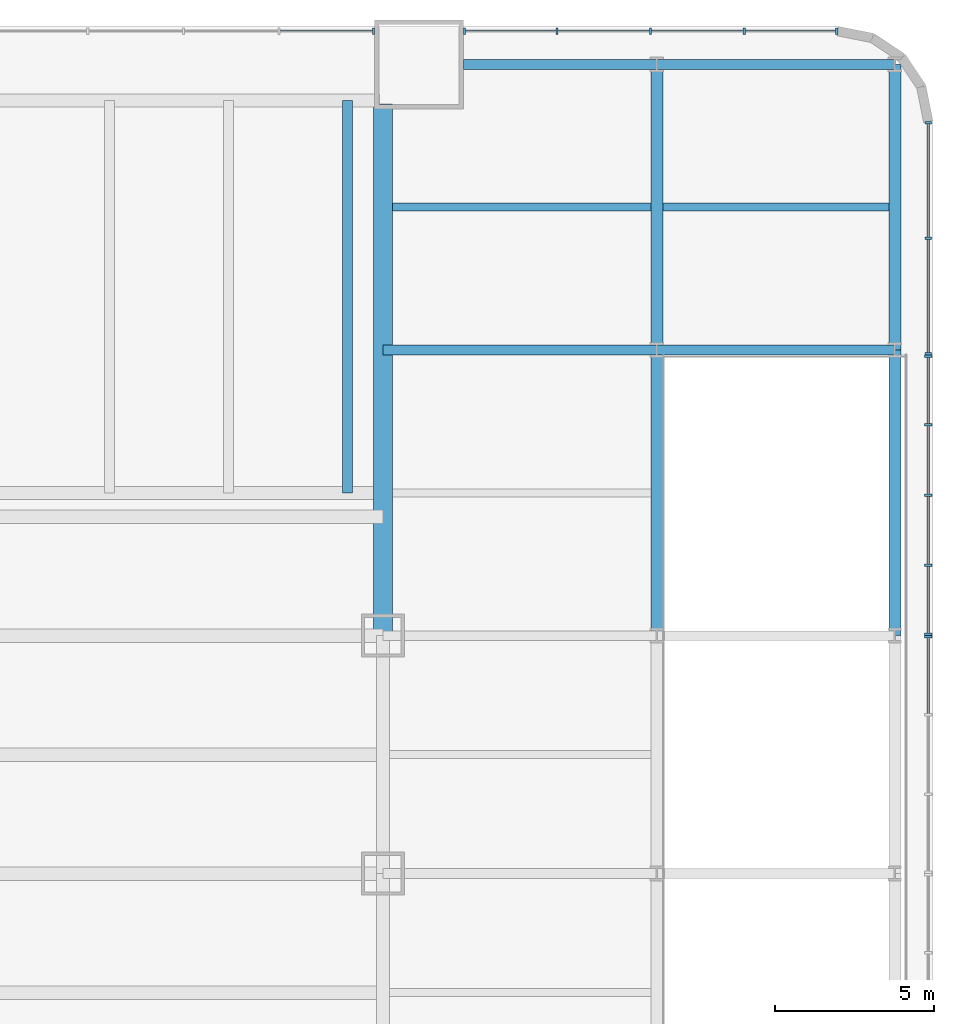
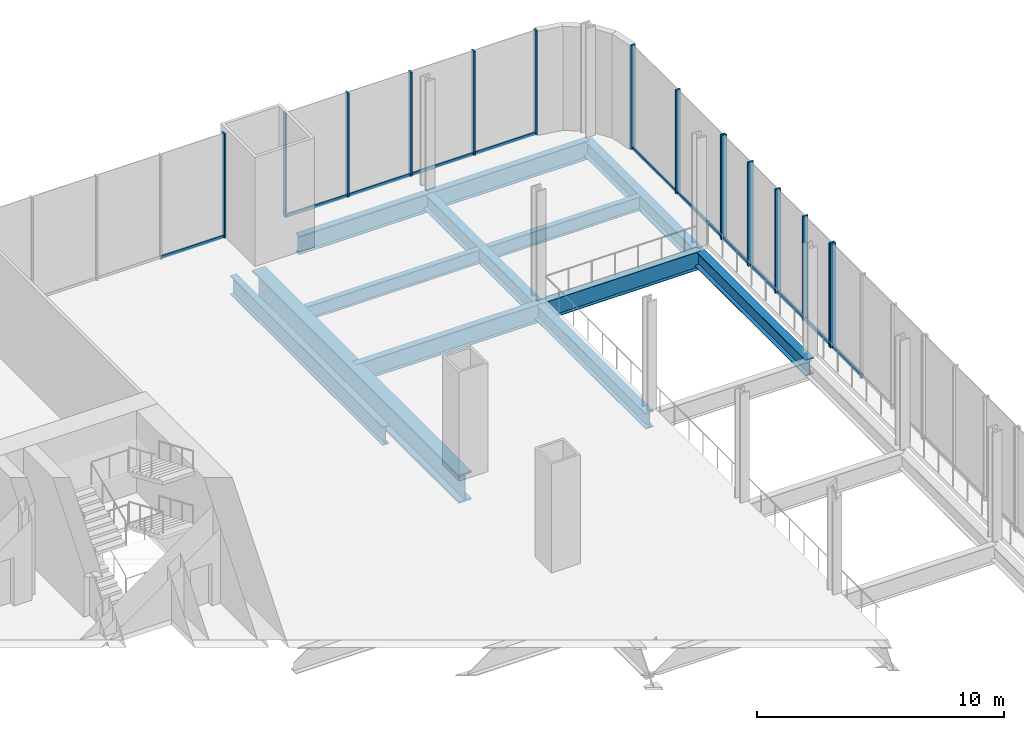
# One storey, part 9 of 16: 27 members, 12 beams, 5 elements without a shape of their own.
"""IFC4 building model written with IfcOpenShell, lengths in metres."""

from ifc_helpers import new_model, si_unit, direction, frame, origin, origin_2d, place, context, subcontext, project, spatial, rectangle, i_section, extrude, material, material_profile, profile_set, type_object, element, aggregate, save


model = new_model("IFC4")

# Units and contexts
model_context = context("Model", 3, precision=1e-05, world=origin(), true_north=direction((0.0, 1.0)))
body_context = subcontext(model_context, "Body", "Model", "MODEL_VIEW")
ifc_project = project(units=[si_unit("LENGTHUNIT", "METRE"), si_unit("AREAUNIT", "SQUARE_METRE"), si_unit("VOLUMEUNIT", "CUBIC_METRE"), si_unit("PLANEANGLEUNIT", "RADIAN"), si_unit("MASSUNIT", "GRAM", prefix="KILO")], contexts=[model_context])

# Site, building, storey
site_placement = place(None, origin())
site = spatial("IfcSite", under=ifc_project, at=site_placement, CompositionType="ELEMENT")
building_placement = place(site_placement, origin())
building = spatial("IfcBuilding", under=site, at=building_placement, Name="Tarangal Relay Tower", CompositionType="ELEMENT")
storey_placement = place(building_placement, frame((0.0, 0.0, 12.60009765625)))
storey = spatial("IfcBuildingStorey", under=building, at=storey_placement, Name="L02", CompositionType="ELEMENT", Elevation=12.60009765625)

# Beam
ifc_material_1 = material(Name="Steel ASTM A992", Category="steel")
ifc_material_profile_1 = material_profile(ifc_material_1, i_section(OverallWidth=0.307373046875, OverallDepth=0.927001953125, WebThickness=0.019287109375, FlangeThickness=0.031982421875, at=origin_2d()), Name="W36X194")
ifc_profile_set_1 = profile_set([ifc_material_profile_1], Name="Steel ASTM A992")
beam_type_1 = type_object("IfcBeamType", Name="Corner beam W36X194", PredefinedType="JOIST", material=ifc_profile_set_1)
beam_1_placement = place(storey_placement, frame((23.25, 12.0, -0.713623046875), z_axis=(0.0, 1.0, 0.0), x_axis=(-1.0, 0.0, 0.0)))
element("IfcBeam", 1, at=beam_1_placement, inside=storey, type_object=beam_type_1, Name="Corner beam CB10 N L02", PredefinedType="JOIST", context=body_context, shape_type="SweptSolid", body=[
    extrude(i_section(OverallWidth=0.307373046875, OverallDepth=0.927001953125, WebThickness=0.019287109375, FlangeThickness=0.031982421875, at=origin_2d()), origin(), (0.0, 0.0, 1.0), 12.364990234375),
])

# Curtain wall, members
ifc_material_2 = material(Name="Unitised curtain wall, dark glass and black aluminium", Category="aluminium")
curtain_wall_type_1 = type_object("IfcCurtainWallType", Name="Curtain wall CW-P", PredefinedType="USERDEFINED", material=ifc_material_2)
curtain_wall_1_placement = place(storey_placement, origin())
curtain_wall_1 = element("IfcCurtainWall", 2, at=curtain_wall_1_placement, inside=storey, type_object=curtain_wall_type_1, Name="Curtain wall CW-P Podium N facade L02", ObjectType="UNITISED CURTAIN WALL", PredefinedType="USERDEFINED")
ifc_material_3 = material(Name="Black anodised aluminium mullion", Category="aluminium")
ifc_material_profile_2 = material_profile(ifc_material_3, rectangle(XDim=0.199951171875, YDim=0.070068359375, at=origin_2d()), Name="CW-PM 70X200")
ifc_profile_set_2 = profile_set([ifc_material_profile_2], Name="Black anodised aluminium mullion")
member_type_1 = type_object("IfcMemberType", Name="Mullion CW-P 70 x 200", PredefinedType="MULLION", material=ifc_profile_set_2)
member_1_placement = place(storey_placement, frame((38.6650390625, 26.550048828125, 0.0), z_axis=(0.0, 0.0, 1.0), x_axis=(0.0, -1.0, 0.0)))
member_1 = element("IfcMember", 3, at=member_1_placement, type_object=member_type_1, Name="CW-P mullion 1", PredefinedType="MULLION", context=body_context, shape_type="SweptSolid", body=[
    extrude(rectangle(XDim=0.199951171875, YDim=0.070068359375, at=origin_2d()), origin(), (0.0, 0.0, 1.0), 5.14990234375),
])
member_2_placement = place(storey_placement, frame((35.75, 26.550048828125, 0.0), z_axis=(0.0, 0.0, 1.0), x_axis=(0.0, -1.0, 0.0)))
member_2 = element("IfcMember", 4, at=member_2_placement, type_object=member_type_1, Name="CW-P mullion 2", PredefinedType="MULLION", context=body_context, shape_type="SweptSolid", body=[
    extrude(rectangle(XDim=0.199951171875, YDim=0.070068359375, at=origin_2d()), origin(), (0.0, 0.0, 1.0), 5.14990234375),
])
member_3_placement = place(storey_placement, frame((32.800048828125, 26.550048828125, 0.0), z_axis=(0.0, 0.0, 1.0), x_axis=(0.0, -1.0, 0.0)))
member_3 = element("IfcMember", 5, at=member_3_placement, type_object=member_type_1, Name="CW-P mullion 3", PredefinedType="MULLION", context=body_context, shape_type="SweptSolid", body=[
    extrude(rectangle(XDim=0.199951171875, YDim=0.070068359375, at=origin_2d()), origin(), (0.0, 0.0, 1.0), 5.14990234375),
])
member_4_placement = place(storey_placement, frame((29.85009765625, 26.550048828125, 0.0), z_axis=(0.0, 0.0, 1.0), x_axis=(0.0, -1.0, 0.0)))
member_4 = element("IfcMember", 6, at=member_4_placement, type_object=member_type_1, Name="CW-P mullion 4", PredefinedType="MULLION", context=body_context, shape_type="SweptSolid", body=[
    extrude(rectangle(XDim=0.199951171875, YDim=0.070068359375, at=origin_2d()), origin(), (0.0, 0.0, 1.0), 5.14990234375),
])
member_5_placement = place(storey_placement, frame((26.93505859375, 26.550048828125, 0.0), z_axis=(0.0, 0.0, 1.0), x_axis=(0.0, -1.0, 0.0)))
member_5 = element("IfcMember", 7, at=member_5_placement, type_object=member_type_1, Name="CW-P mullion 5", PredefinedType="MULLION", context=body_context, shape_type="SweptSolid", body=[
    extrude(rectangle(XDim=0.199951171875, YDim=0.070068359375, at=origin_2d()), origin(), (0.0, 0.0, 1.0), 5.14990234375),
])

# Curtain wall, member
curtain_wall_2_placement = place(storey_placement, origin())
curtain_wall_2 = element("IfcCurtainWall", 8, at=curtain_wall_2_placement, inside=storey, type_object=curtain_wall_type_1, Name="Curtain wall CW-P Podium N facade L02", ObjectType="UNITISED CURTAIN WALL", PredefinedType="USERDEFINED")
member_6_placement = place(storey_placement, frame((24.06494140625, 26.550048828125, 0.0), z_axis=(0.0, 0.0, 1.0), x_axis=(0.0, -1.0, 0.0)))
member_6 = element("IfcMember", 9, at=member_6_placement, type_object=member_type_1, Name="CW-P mullion 1", PredefinedType="MULLION", context=body_context, shape_type="SweptSolid", body=[
    extrude(rectangle(XDim=0.199951171875, YDim=0.070068359375, at=origin_2d()), origin(), (0.0, 0.0, 1.0), 5.14990234375),
])

# Curtain wall, members
curtain_wall_3_placement = place(storey_placement, origin())
curtain_wall_3 = element("IfcCurtainWall", 10, at=curtain_wall_3_placement, inside=storey, type_object=curtain_wall_type_1, Name="Curtain wall CW-P Podium E facade L02", ObjectType="UNITISED CURTAIN WALL", PredefinedType="USERDEFINED")
member_7_placement = place(storey_placement, frame((41.550048828125, 16.385009765625, 0.0), z_axis=(0.0, 0.0, 1.0), x_axis=(-1.0, 0.0, 0.0)))
member_7 = element("IfcMember", 11, at=member_7_placement, type_object=member_type_1, Name="CW-P mullion 1", PredefinedType="MULLION", context=body_context, shape_type="SweptSolid", body=[
    extrude(rectangle(XDim=0.199951171875, YDim=0.070068359375, at=origin_2d()), origin(), (0.0, 0.0, 1.0), 5.14990234375),
])
member_8_placement = place(storey_placement, frame((41.550048828125, 20.02490234375, 0.0), z_axis=(0.0, 0.0, 1.0), x_axis=(-1.0, 0.0, 0.0)))
member_8 = element("IfcMember", 12, at=member_8_placement, type_object=member_type_1, Name="CW-P mullion 2", PredefinedType="MULLION", context=body_context, shape_type="SweptSolid", body=[
    extrude(rectangle(XDim=0.199951171875, YDim=0.070068359375, at=origin_2d()), origin(), (0.0, 0.0, 1.0), 5.14990234375),
])
member_9_placement = place(storey_placement, frame((41.550048828125, 23.6650390625, 0.0), z_axis=(0.0, 0.0, 1.0), x_axis=(-1.0, 0.0, 0.0)))
member_9 = element("IfcMember", 13, at=member_9_placement, type_object=member_type_1, Name="CW-P mullion 3", PredefinedType="MULLION", context=body_context, shape_type="SweptSolid", body=[
    extrude(rectangle(XDim=0.199951171875, YDim=0.070068359375, at=origin_2d()), origin(), (0.0, 0.0, 1.0), 5.14990234375),
])

# Curtain wall, member
curtain_wall_type_2 = type_object("IfcCurtainWallType", Name="Curtain wall CW-T", PredefinedType="USERDEFINED", material=ifc_material_2)
curtain_wall_4_placement = place(storey_placement, origin())
curtain_wall_4 = element("IfcCurtainWall", 14, at=curtain_wall_4_placement, inside=storey, type_object=curtain_wall_type_2, Name="Curtain wall CW-T Podium E facade L02", ObjectType="UNITISED CURTAIN WALL", PredefinedType="USERDEFINED")
ifc_material_profile_3 = material_profile(ifc_material_3, rectangle(XDim=0.25, YDim=0.080078125, at=origin_2d()), Name="CW-TM 80X250")
ifc_profile_set_3 = profile_set([ifc_material_profile_3], Name="Black anodised aluminium mullion")
member_type_2 = type_object("IfcMemberType", Name="Mullion CW-T 80 x 250", PredefinedType="MULLION", material=ifc_profile_set_3)
member_10_placement = place(storey_placement, frame((41.550048828125, 7.4599609375, 0.0), z_axis=(0.0, 0.0, 1.0), x_axis=(-1.0, 0.0, 0.0)))
member_10 = element("IfcMember", 15, at=member_10_placement, type_object=member_type_2, Name="CW-T mullion 4", PredefinedType="MULLION", context=body_context, shape_type="SweptSolid", body=[
    extrude(rectangle(XDim=0.25, YDim=0.080078125, at=origin_2d()), origin(), (0.0, 0.0, 1.0), 5.14990234375),
])

# Curtain wall, members
curtain_wall_5_placement = place(storey_placement, origin())
curtain_wall_5 = element("IfcCurtainWall", 16, at=curtain_wall_5_placement, inside=storey, type_object=curtain_wall_type_2, Name="Curtain wall CW-T Podium E facade L02", ObjectType="UNITISED CURTAIN WALL", PredefinedType="USERDEFINED")
member_11_placement = place(storey_placement, frame((41.550048828125, 7.5400390625, 0.0), z_axis=(0.0, 0.0, 1.0), x_axis=(-1.0, 0.0, 0.0)))
member_11 = element("IfcMember", 17, at=member_11_placement, type_object=member_type_2, Name="CW-T mullion 1", PredefinedType="MULLION", context=body_context, shape_type="SweptSolid", body=[
    extrude(rectangle(XDim=0.25, YDim=0.080078125, at=origin_2d()), origin(), (0.0, 0.0, 1.0), 5.14990234375),
])
member_12_placement = place(storey_placement, frame((41.550048828125, 9.71240234375, 0.0), z_axis=(0.0, 0.0, 1.0), x_axis=(-1.0, 0.0, 0.0)))
member_12 = element("IfcMember", 18, at=member_12_placement, type_object=member_type_2, Name="CW-T mullion 2", PredefinedType="MULLION", context=body_context, shape_type="SweptSolid", body=[
    extrude(rectangle(XDim=0.25, YDim=0.080078125, at=origin_2d()), origin(), (0.0, 0.0, 1.0), 5.14990234375),
])
member_13_placement = place(storey_placement, frame((41.550048828125, 11.925048828125, 0.0), z_axis=(0.0, 0.0, 1.0), x_axis=(-1.0, 0.0, 0.0)))
member_13 = element("IfcMember", 19, at=member_13_placement, type_object=member_type_2, Name="CW-T mullion 3", PredefinedType="MULLION", context=body_context, shape_type="SweptSolid", body=[
    extrude(rectangle(XDim=0.25, YDim=0.080078125, at=origin_2d()), origin(), (0.0, 0.0, 1.0), 5.14990234375),
])
member_14_placement = place(storey_placement, frame((41.550048828125, 14.137451171875, 0.0), z_axis=(0.0, 0.0, 1.0), x_axis=(-1.0, 0.0, 0.0)))
member_14 = element("IfcMember", 20, at=member_14_placement, type_object=member_type_2, Name="CW-T mullion 4", PredefinedType="MULLION", context=body_context, shape_type="SweptSolid", body=[
    extrude(rectangle(XDim=0.25, YDim=0.080078125, at=origin_2d()), origin(), (0.0, 0.0, 1.0), 5.14990234375),
])
member_15_placement = place(storey_placement, frame((41.550048828125, 16.31005859375, 0.0), z_axis=(0.0, 0.0, 1.0), x_axis=(-1.0, 0.0, 0.0)))
member_15 = element("IfcMember", 21, at=member_15_placement, type_object=member_type_2, Name="CW-T mullion 5", PredefinedType="MULLION", context=body_context, shape_type="SweptSolid", body=[
    extrude(rectangle(XDim=0.25, YDim=0.080078125, at=origin_2d()), origin(), (0.0, 0.0, 1.0), 5.14990234375),
])

# Beams
ifc_material_profile_4 = material_profile(ifc_material_1, i_section(OverallWidth=0.3046875, OverallDepth=0.911865234375, WebThickness=0.015869140625, FlangeThickness=0.02392578125, at=origin_2d()), Name="W36X150")
ifc_profile_set_4 = profile_set([ifc_material_profile_4], Name="Steel ASTM A992")
beam_type_2 = type_object("IfcBeamType", Name="Podium beam W36X150", PredefinedType="BEAM", material=ifc_profile_set_4)
beam_2_placement = place(storey_placement, frame((24.364990234375, 16.5, -0.7060546875), z_axis=(1.0, 0.0, 0.0), x_axis=(0.0, 1.0, 0.0)))
element("IfcBeam", 22, at=beam_2_placement, inside=storey, type_object=beam_type_2, Name="Podium beam PB1 L02", PredefinedType="BEAM", context=body_context, shape_type="SweptSolid", body=[
    extrude(i_section(OverallWidth=0.3046875, OverallDepth=0.911865234375, WebThickness=0.015869140625, FlangeThickness=0.02392578125, at=origin_2d()), origin(), (0.0, 0.0, 1.0), 8.635009765625),
])
beam_3_placement = place(storey_placement, frame((33.0, 16.5, -0.7060546875), z_axis=(1.0, 0.0, 0.0), x_axis=(0.0, 1.0, 0.0)))
element("IfcBeam", 23, at=beam_3_placement, inside=storey, type_object=beam_type_2, Name="Podium beam PB1 L02", PredefinedType="BEAM", context=body_context, shape_type="SweptSolid", body=[
    extrude(i_section(OverallWidth=0.3046875, OverallDepth=0.911865234375, WebThickness=0.015869140625, FlangeThickness=0.02392578125, at=origin_2d()), origin(), (0.0, 0.0, 1.0), 7.5),
])
beam_4_placement = place(storey_placement, frame((26.89990234375, 25.5, -0.7060546875), z_axis=(1.0, 0.0, 0.0), x_axis=(0.0, 1.0, 0.0)))
element("IfcBeam", 24, at=beam_4_placement, inside=storey, type_object=beam_type_2, Name="Podium beam PB1 L02", PredefinedType="BEAM", context=body_context, shape_type="SweptSolid", body=[
    extrude(i_section(OverallWidth=0.3046875, OverallDepth=0.911865234375, WebThickness=0.015869140625, FlangeThickness=0.02392578125, at=origin_2d()), origin(), (0.0, 0.0, 1.0), 6.10009765625),
])
beam_5_placement = place(storey_placement, frame((33.0, 25.5, -0.7060546875), z_axis=(1.0, 0.0, 0.0), x_axis=(0.0, 1.0, 0.0)))
element("IfcBeam", 25, at=beam_5_placement, inside=storey, type_object=beam_type_2, Name="Podium beam PB1 L02", PredefinedType="BEAM", context=body_context, shape_type="SweptSolid", body=[
    extrude(i_section(OverallWidth=0.3046875, OverallDepth=0.911865234375, WebThickness=0.015869140625, FlangeThickness=0.02392578125, at=origin_2d()), origin(), (0.0, 0.0, 1.0), 7.5),
])
ifc_material_profile_5 = material_profile(ifc_material_1, i_section(OverallWidth=0.383544921875, OverallDepth=0.784912109375, WebThickness=0.019775390625, FlangeThickness=0.033447265625, at=origin_2d()), Name="W30X211")
ifc_profile_set_5 = profile_set([ifc_material_profile_5], Name="Steel ASTM A992")
beam_type_3 = type_object("IfcBeamType", Name="Podium girder W30X211", PredefinedType="BEAM", material=ifc_profile_set_5)
for number, where, z_axis, x_axis, name in (
    (26, (33.0, 7.5, -0.642578125), (0.0, 1.0, 0.0), (-1.0, 0.0, 0.0), "Podium girder PG1 L02"),
    (27, (33.0, 16.5, -0.642578125), (0.0, 1.0, 0.0), (-1.0, 0.0, 0.0), "Podium girder PG1 L02"),
    (28, (40.5, 7.5, -0.642578125), (0.0, 1.0, 0.0), (-1.0, 0.0, 0.0), "Podium girder PG1 L02"),
    (29, (40.5, 16.5, -0.642578125), (0.0, 1.0, 0.0), (-1.0, 0.0, 0.0), "Podium girder PG1 L02"),
):
    element("IfcBeam", number, at=place(storey_placement, frame(where, z_axis=z_axis, x_axis=x_axis)), inside=storey, type_object=beam_type_3, Name=name, PredefinedType="BEAM", context=body_context, shape_type="SweptSolid", body=[
        extrude(i_section(OverallWidth=0.383544921875, OverallDepth=0.784912109375, WebThickness=0.019775390625, FlangeThickness=0.033447265625, at=origin_2d()), origin(), (0.0, 0.0, 1.0), 9.0),
    ])
ifc_material_profile_6 = material_profile(ifc_material_1, i_section(OverallWidth=0.25390625, OverallDepth=0.683349609375, WebThickness=0.012451171875, FlangeThickness=0.018798828125, at=origin_2d()), Name="W27X94")
ifc_profile_set_6 = profile_set([ifc_material_profile_6], Name="Steel ASTM A992")
beam_type_4 = type_object("IfcBeamType", Name="Podium joist W27X94", PredefinedType="JOIST", material=ifc_profile_set_6)
beam_6_placement = place(storey_placement, frame((24.6650390625, 21.0, -0.591796875), z_axis=(1.0, 0.0, 0.0), x_axis=(0.0, 1.0, 0.0)))
element("IfcBeam", 30, at=beam_6_placement, inside=storey, type_object=beam_type_4, Name="Podium joist PJ1 L02", PredefinedType="JOIST", context=body_context, shape_type="SweptSolid", body=[
    extrude(i_section(OverallWidth=0.25390625, OverallDepth=0.683349609375, WebThickness=0.012451171875, FlangeThickness=0.018798828125, at=origin_2d()), origin(), (0.0, 0.0, 1.0), 8.14404296875),
])
beam_7_placement = place(storey_placement, frame((33.19091796875, 21.0, -0.591796875), z_axis=(1.0, 0.0, 0.0), x_axis=(0.0, 1.0, 0.0)))
element("IfcBeam", 31, at=beam_7_placement, inside=storey, type_object=beam_type_4, Name="Podium joist PJ1 L02", PredefinedType="JOIST", context=body_context, shape_type="SweptSolid", body=[
    extrude(i_section(OverallWidth=0.25390625, OverallDepth=0.683349609375, WebThickness=0.012451171875, FlangeThickness=0.018798828125, at=origin_2d()), origin(), (0.0, 0.0, 1.0), 7.1181640625),
])
ifc_material_4 = material(Name="Steel ASTM A572 Grade 50", Category="steel")
ifc_material_profile_7 = material_profile(ifc_material_4, i_section(OverallWidth=0.60009765625, OverallDepth=1.39990234375, WebThickness=0.030029296875, FlangeThickness=0.080078125, at=origin_2d()), Name="PG1400X600X80X30")
ifc_profile_set_7 = profile_set([ifc_material_profile_7], Name="Steel ASTM A572 Grade 50")
beam_type_5 = type_object("IfcBeamType", Name="Transfer girder PG1400X600X80X30", PredefinedType="SPANDREL", material=ifc_profile_set_7)
beam_8_placement = place(storey_placement, frame((24.364990234375, 24.25, -0.9501953125), z_axis=(0.0, -1.0, 0.0), x_axis=(1.0, 0.0, 0.0)))
element("IfcBeam", 32, at=beam_8_placement, inside=storey, type_object=beam_type_5, Name="Transfer girder TG1 E L02", PredefinedType="SPANDREL", context=body_context, shape_type="SweptSolid", body=[
    extrude(i_section(OverallWidth=0.60009765625, OverallDepth=1.39990234375, WebThickness=0.030029296875, FlangeThickness=0.080078125, at=origin_2d()), origin(), (0.0, 0.0, 1.0), 16.75),
])

# Member
ifc_material_5 = material(Name="Black anodised aluminium transom", Category="aluminium")
ifc_material_profile_8 = material_profile(ifc_material_5, rectangle(XDim=0.070068359375, YDim=0.159912109375, at=origin_2d()), Name="CW-PT 70X160")
ifc_profile_set_8 = profile_set([ifc_material_profile_8], Name="Black anodised aluminium transom")
member_type_3 = type_object("IfcMemberType", Name="Transom CW-P 70 x 160", PredefinedType="USERDEFINED", material=ifc_profile_set_8)
member_16_placement = place(storey_placement, frame((38.6298828125, 26.550048828125, 0.034912109375), z_axis=(-1.0, 0.0, 0.0), x_axis=(0.0, -1.0, 0.0)))
member_16 = element("IfcMember", 33, at=member_16_placement, type_object=member_type_3, Name="CW-P transom 1.1", ObjectType="TRANSOM", PredefinedType="USERDEFINED", context=body_context, shape_type="SweptSolid", body=[
    extrude(rectangle(XDim=0.070068359375, YDim=0.159912109375, at=origin_2d()), origin(), (0.0, 0.0, 1.0), 2.844970703125),
])

member_17_placement = place(storey_placement, frame((35.715087890625, 26.550048828125, 0.034912109375), z_axis=(-1.0, 0.0, 0.0), x_axis=(0.0, -1.0, 0.0)))
member_17 = element("IfcMember", 34, at=member_17_placement, type_object=member_type_3, Name="CW-P transom 2.1", ObjectType="TRANSOM", PredefinedType="USERDEFINED", context=body_context, shape_type="SweptSolid", body=[
    extrude(rectangle(XDim=0.070068359375, YDim=0.159912109375, at=origin_2d()), origin(), (0.0, 0.0, 1.0), 2.880126953125),
])

member_18_placement = place(storey_placement, frame((32.764892578125, 26.550048828125, 0.034912109375), z_axis=(-1.0, 0.0, 0.0), x_axis=(0.0, -1.0, 0.0)))
member_18 = element("IfcMember", 35, at=member_18_placement, type_object=member_type_3, Name="CW-P transom 3.1", ObjectType="TRANSOM", PredefinedType="USERDEFINED", context=body_context, shape_type="SweptSolid", body=[
    extrude(rectangle(XDim=0.070068359375, YDim=0.159912109375, at=origin_2d()), origin(), (0.0, 0.0, 1.0), 2.8798828125),
])

member_19_placement = place(storey_placement, frame((29.81494140625, 26.550048828125, 0.034912109375), z_axis=(-1.0, 0.0, 0.0), x_axis=(0.0, -1.0, 0.0)))
member_19 = element("IfcMember", 36, at=member_19_placement, type_object=member_type_3, Name="CW-P transom 4.1", ObjectType="TRANSOM", PredefinedType="USERDEFINED", context=body_context, shape_type="SweptSolid", body=[
    extrude(rectangle(XDim=0.070068359375, YDim=0.159912109375, at=origin_2d()), origin(), (0.0, 0.0, 1.0), 2.844970703125),
])

aggregate(curtain_wall_1, [member_1, member_2, member_3, member_4, member_5, member_16, member_17, member_18, member_19])

member_20_placement = place(storey_placement, frame((24.030029296875, 26.550048828125, 0.034912109375), z_axis=(-1.0, 0.0, 0.0), x_axis=(0.0, -1.0, 0.0)))
member_20 = element("IfcMember", 37, at=member_20_placement, type_object=member_type_3, Name="CW-P transom 1.1", ObjectType="TRANSOM", PredefinedType="USERDEFINED", context=body_context, shape_type="SweptSolid", body=[
    extrude(rectangle(XDim=0.070068359375, YDim=0.159912109375, at=origin_2d()), origin(), (0.0, 0.0, 1.0), 2.907470703125),
])

aggregate(curtain_wall_2, [member_6, member_20])

member_21_placement = place(storey_placement, frame((41.550048828125, 16.419921875, 0.034912109375), z_axis=(0.0, 1.0, 0.0), x_axis=(-1.0, 0.0, 0.0)))
member_21 = element("IfcMember", 38, at=member_21_placement, type_object=member_type_3, Name="CW-P transom 1.1", ObjectType="TRANSOM", PredefinedType="USERDEFINED", context=body_context, shape_type="SweptSolid", body=[
    extrude(rectangle(XDim=0.070068359375, YDim=0.159912109375, at=origin_2d()), origin(), (0.0, 0.0, 1.0), 3.570068359375),
])

member_22_placement = place(storey_placement, frame((41.550048828125, 20.06005859375, 0.034912109375), z_axis=(0.0, 1.0, 0.0), x_axis=(-1.0, 0.0, 0.0)))
member_22 = element("IfcMember", 39, at=member_22_placement, type_object=member_type_3, Name="CW-P transom 2.1", ObjectType="TRANSOM", PredefinedType="USERDEFINED", context=body_context, shape_type="SweptSolid", body=[
    extrude(rectangle(XDim=0.070068359375, YDim=0.159912109375, at=origin_2d()), origin(), (0.0, 0.0, 1.0), 3.56982421875),
])

aggregate(curtain_wall_3, [member_7, member_8, member_9, member_21, member_22])

ifc_material_profile_9 = material_profile(ifc_material_5, rectangle(XDim=0.080078125, YDim=0.199951171875, at=origin_2d()), Name="CW-TT 80X200")
ifc_profile_set_9 = profile_set([ifc_material_profile_9], Name="Black anodised aluminium transom")
member_type_4 = type_object("IfcMemberType", Name="Transom CW-T 80 x 200", PredefinedType="USERDEFINED", material=ifc_profile_set_9)
member_23_placement = place(storey_placement, frame((41.550048828125, 5.0400390625, 0.039794921875), z_axis=(0.0, 1.0, 0.0), x_axis=(-1.0, 0.0, 0.0)))
member_23 = element("IfcMember", 40, at=member_23_placement, type_object=member_type_4, Name="CW-T transom 3.1", ObjectType="TRANSOM", PredefinedType="USERDEFINED", context=body_context, shape_type="SweptSolid", body=[
    extrude(rectangle(XDim=0.080078125, YDim=0.199951171875, at=origin_2d()), origin(), (0.0, 0.0, 1.0), 2.3798828125),
])

aggregate(curtain_wall_4, [member_10, member_23])

member_24_placement = place(storey_placement, frame((41.550048828125, 7.580078125, 0.039794921875), z_axis=(0.0, 1.0, 0.0), x_axis=(-1.0, 0.0, 0.0)))
member_24 = element("IfcMember", 41, at=member_24_placement, type_object=member_type_4, Name="CW-T transom 1.1", ObjectType="TRANSOM", PredefinedType="USERDEFINED", context=body_context, shape_type="SweptSolid", body=[
    extrude(rectangle(XDim=0.080078125, YDim=0.199951171875, at=origin_2d()), origin(), (0.0, 0.0, 1.0), 2.092529296875),
])

member_25_placement = place(storey_placement, frame((41.550048828125, 9.75244140625, 0.039794921875), z_axis=(0.0, 1.0, 0.0), x_axis=(-1.0, 0.0, 0.0)))
member_25 = element("IfcMember", 42, at=member_25_placement, type_object=member_type_4, Name="CW-T transom 2.1", ObjectType="TRANSOM", PredefinedType="USERDEFINED", context=body_context, shape_type="SweptSolid", body=[
    extrude(rectangle(XDim=0.080078125, YDim=0.199951171875, at=origin_2d()), origin(), (0.0, 0.0, 1.0), 2.132568359375),
])

member_26_placement = place(storey_placement, frame((41.550048828125, 11.965087890625, 0.039794921875), z_axis=(0.0, 1.0, 0.0), x_axis=(-1.0, 0.0, 0.0)))
member_26 = element("IfcMember", 43, at=member_26_placement, type_object=member_type_4, Name="CW-T transom 3.1", ObjectType="TRANSOM", PredefinedType="USERDEFINED", context=body_context, shape_type="SweptSolid", body=[
    extrude(rectangle(XDim=0.080078125, YDim=0.199951171875, at=origin_2d()), origin(), (0.0, 0.0, 1.0), 2.13232421875),
])

member_27_placement = place(storey_placement, frame((41.550048828125, 14.177490234375, 0.039794921875), z_axis=(0.0, 1.0, 0.0), x_axis=(-1.0, 0.0, 0.0)))
member_27 = element("IfcMember", 44, at=member_27_placement, type_object=member_type_4, Name="CW-T transom 4.1", ObjectType="TRANSOM", PredefinedType="USERDEFINED", context=body_context, shape_type="SweptSolid", body=[
    extrude(rectangle(XDim=0.080078125, YDim=0.199951171875, at=origin_2d()), origin(), (0.0, 0.0, 1.0), 2.092529296875),
])

aggregate(curtain_wall_5, [member_11, member_12, member_13, member_14, member_15, member_24, member_25, member_26, member_27])

save(model, "model.ifc")
